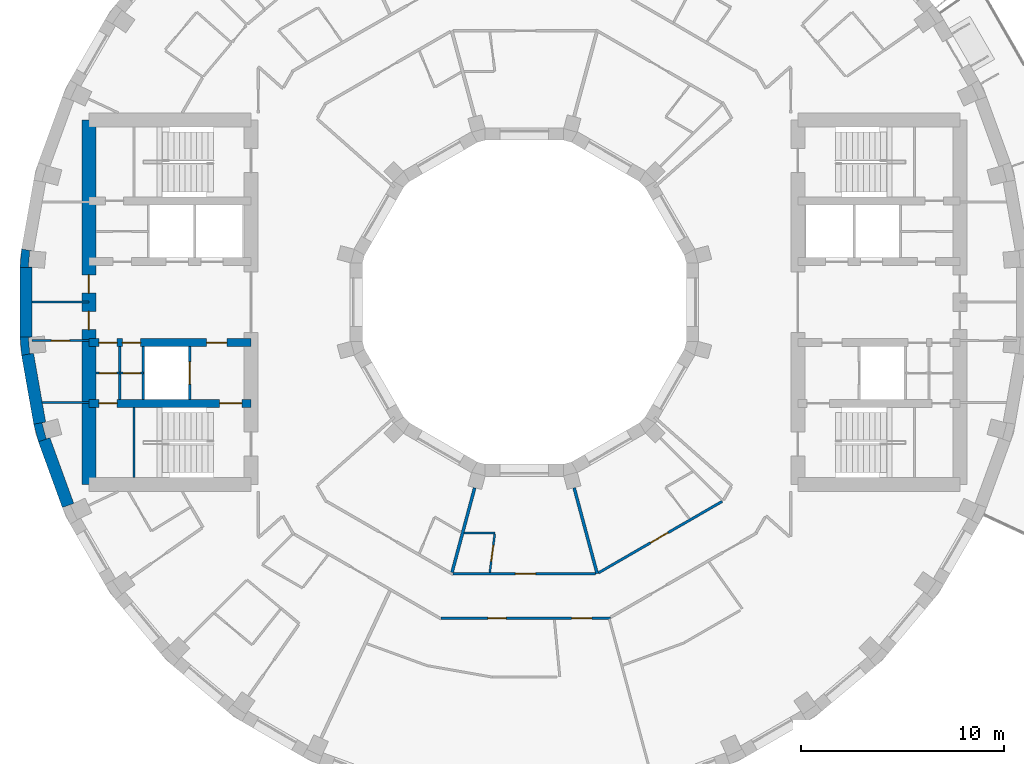
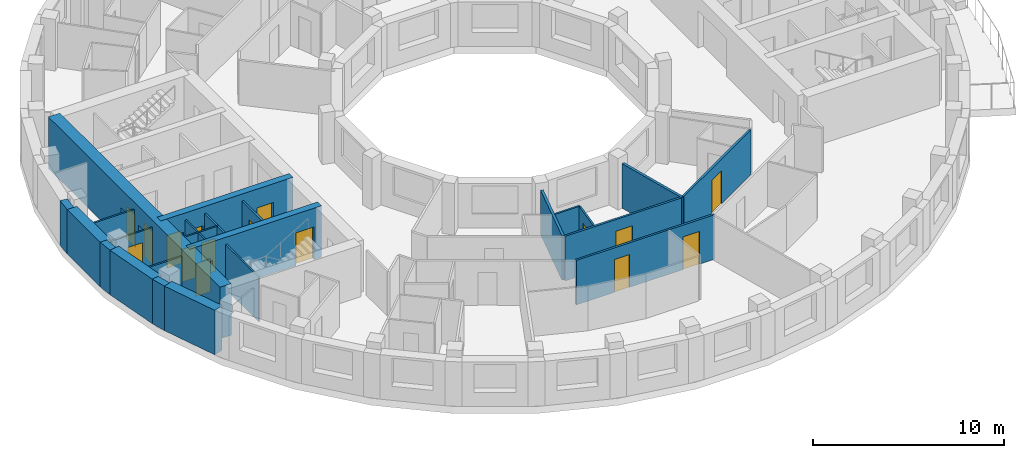
# One storey, part 3 of 11: 25 walls, 16 doors, 16 openings.
"""IFC4 building model written with IfcOpenShell, lengths in metres."""

import ifcopenshell
import ifcopenshell.guid

model = None  # the IFC model being written
_history = None  # IfcOwnerHistory: only IFC2X3 demands one
_inside = {}  # id of a spatial element -> (the spatial element, [elements in it])
_under = {}  # id of a project, library or spatial element -> (it, [spatial elements below it])
_declared = {}  # id of a project -> (the project, [libraries it declares])
_typed = {}  # id of a type object -> (the type object, [elements of that type])
_made_of = {}  # id of a material, layer set ... -> (it, [elements and type objects made of it])


def new_model(schema):
    """Start an empty IFC model of exactly this schema.

    Asked for "IFC4X3", IfcOpenShell would pick the latest addendum, in which some entities
    have other attributes; the version numbers below select the first issue.
    IFC2X3 requires an IfcOwnerHistory on every rooted entity: one is made here for all.
    """
    global model, _history
    if schema == "IFC4X3":
        model = ifcopenshell.file(schema_version=(4, 3, 0, 0))
    else:
        model = ifcopenshell.file(schema=schema)
    _inside.clear()
    _under.clear()
    _declared.clear()
    _typed.clear()
    _made_of.clear()
    _history = None
    if model.schema == "IFC2X3":
        org = make("IfcOrganization", Name="unknown")
        user = make(
            "IfcPersonAndOrganization",
            ThePerson=make("IfcPerson", FamilyName="unknown"),
            TheOrganization=org,
        )
        app = make(
            "IfcApplication",
            ApplicationDeveloper=org,
            Version="unknown",
            ApplicationFullName="unknown",
            ApplicationIdentifier="unknown",
        )
        _history = make(
            "IfcOwnerHistory",
            OwningUser=user,
            OwningApplication=app,
            ChangeAction="ADDED",
            CreationDate=0,
        )
    return model


def make(cls, **values):
    """One entity of the class cls with the attributes given. An attribute that is None is left unset."""
    return model.create_entity(
        cls, **{name: value for name, value in values.items() if value is not None}
    )


def rooted(cls, **values):
    """An entity with a GlobalId (a new one), such as an element, a storey or a relation."""
    return make(cls, GlobalId=ifcopenshell.guid.new(), OwnerHistory=_history, **values)


def si_unit(unit_type, name, prefix=None):
    """IfcSIUnit, for example si_unit("LENGTHUNIT", "METRE", prefix="MILLI")."""
    return make("IfcSIUnit", UnitType=unit_type, Prefix=prefix, Name=name)


def assignment(units):
    """IfcUnitAssignment: the units of a project."""
    return None if units is None else make("IfcUnitAssignment", Units=units)


def point(xyz):
    """IfcCartesianPoint."""
    return None if xyz is None else make("IfcCartesianPoint", Coordinates=xyz)


def direction(xyz):
    """IfcDirection."""
    return None if xyz is None else make("IfcDirection", DirectionRatios=xyz)


def frame(location, z_axis=None, x_axis=None):
    """IfcAxis2Placement3D, a coordinate frame: its origin and axes. An axis left out is left unset."""
    return make(
        "IfcAxis2Placement3D",
        Location=point(location),
        Axis=direction(z_axis),
        RefDirection=direction(x_axis),
    )


def frame_2d(location, x_axis=None):
    """IfcAxis2Placement2D, a coordinate frame in the plane: its origin and x axis."""
    return make(
        "IfcAxis2Placement2D", Location=point(location), RefDirection=direction(x_axis)
    )


def origin():
    """The frame at (0, 0, 0) with its axes left unset."""
    return frame((0.0, 0.0, 0.0))


def place(relative_to, where):
    """IfcLocalPlacement: puts the frame where relative to a parent placement (None: the world)."""
    return make(
        "IfcLocalPlacement", PlacementRelTo=relative_to, RelativePlacement=where
    )


def context(
    kind, dimensions, precision=None, world=None, true_north=None, identifier=None
):
    """IfcGeometricRepresentationContext, for example the 3D "Model" context."""
    return make(
        "IfcGeometricRepresentationContext",
        ContextIdentifier=identifier,
        ContextType=kind,
        CoordinateSpaceDimension=dimensions,
        Precision=precision,
        WorldCoordinateSystem=world,
        TrueNorth=true_north,
    )


def subcontext(parent, identifier, kind, view, scale=None):
    """IfcGeometricRepresentationSubContext, for example "Body" below "Model"."""
    return make(
        "IfcGeometricRepresentationSubContext",
        ContextIdentifier=identifier,
        ContextType=kind,
        ParentContext=parent,
        TargetScale=scale,
        TargetView=view,
    )


def project(units=None, contexts=None):
    """IfcProject with its units and contexts."""
    return rooted(
        "IfcProject",
        Name="project",
        RepresentationContexts=contexts,
        UnitsInContext=assignment(units),
    )


def spatial(cls, under=None, at=None, **own):
    """A site, building, storey or space (cls), placed at a placement, below another one or the project."""
    s = rooted(cls, ObjectPlacement=at, **own)
    if under is not None:
        _under.setdefault(under.id(), (under, []))[1].append(s)
    return s


def polyline(points):
    """IfcPolyline through the points."""
    return make("IfcPolyline", Points=[point(p) for p in points])


def profile(cls, at=None, kind="AREA", **sizes):
    """A parametric profile (cls). Its sizes go by their IFC names, for example OverallWidth=200.0."""
    return make(cls, ProfileType=kind, Position=at, **sizes)


def rectangle(**sizes):
    """IfcRectangleProfileDef."""
    return profile("IfcRectangleProfileDef", **sizes)


def outline(outer, holes=None, kind="AREA"):
    """IfcArbitraryClosedProfileDef: a profile drawn as a closed curve; with holes, ...WithVoids."""
    if holes is None:
        return make("IfcArbitraryClosedProfileDef", ProfileType=kind, OuterCurve=outer)
    return make(
        "IfcArbitraryProfileDefWithVoids",
        ProfileType=kind,
        OuterCurve=outer,
        InnerCurves=holes,
    )


def extrude(swept, where, along, depth):
    """IfcExtrudedAreaSolid: the profile swept, set in the frame where, extruded along a direction by depth."""
    return make(
        "IfcExtrudedAreaSolid",
        SweptArea=swept,
        Position=where,
        ExtrudedDirection=direction(along),
        Depth=depth,
    )


def shape(context_of_items, identifier, shape_type, items):
    """IfcShapeRepresentation: the items that make up one representation, for example the "Body"."""
    return make(
        "IfcShapeRepresentation",
        ContextOfItems=context_of_items,
        RepresentationIdentifier=identifier,
        RepresentationType=shape_type,
        Items=items,
    )


def material(Name=None, Category=None):
    """IfcMaterial."""
    return make("IfcMaterial", Name=Name, Category=Category)


def layer(
    of_material, thickness, ventilated=None, Name=None, Category=None, Priority=None
):
    """IfcMaterialLayer: one layer of a wall or slab, of a material (None: an air gap)."""
    return make(
        "IfcMaterialLayer",
        Material=of_material,
        LayerThickness=thickness,
        IsVentilated=ventilated,
        Name=Name,
        Category=Category,
        Priority=Priority,
    )


def layer_set(layers, Name=None):
    """IfcMaterialLayerSet."""
    return make("IfcMaterialLayerSet", MaterialLayers=layers, LayerSetName=Name)


def made_of(thing, what):
    """Note that an element or type object is made of a material, layer set ...; save() writes the relation."""
    if what is not None:
        _made_of.setdefault(what.id(), (what, []))[1].append(thing)
    return thing


def type_object(cls, material=None, **own):
    """A type object (cls), such as IfcWallType, which elements share."""
    return made_of(rooted(cls, **own), material)


def element(
    cls,
    number,
    at=None,
    inside=None,
    cuts=None,
    type_object=None,
    material=None,
    context=None,
    identifier="Body",
    shape_type=None,
    held_by="IfcProductDefinitionShape",
    body=None,
    shapes=None,
    **own,
):
    """One element of the class cls, such as IfcWall. Its Tag is "e" and its number.

    at: its placement. inside: the storey or other place that contains it. cuts: it is an
    opening in that element (IfcRelVoidsElement). A single representation is given by context,
    identifier, shape_type and body (its items); several are given by shapes. held_by: the class
    of the entity that holds the representations. save() writes the other relations.
    """
    e = rooted(cls, Tag="e%d" % number, ObjectPlacement=at, **own)
    if body is not None:
        shapes = [shape(context, identifier, shape_type, body)]
    if shapes is not None:
        e.Representation = make(held_by, Representations=shapes)
    if inside is not None:
        _inside.setdefault(inside.id(), (inside, []))[1].append(e)
    if cuts is not None:
        rooted(
            "IfcRelVoidsElement", RelatingBuildingElement=cuts, RelatedOpeningElement=e
        )
    if type_object is not None:
        _typed.setdefault(type_object.id(), (type_object, []))[1].append(e)
    return made_of(e, material)


def fill(opening, filler):
    """IfcRelFillsElement: the door or window that sits in an opening."""
    return rooted(
        "IfcRelFillsElement",
        RelatingOpeningElement=opening,
        RelatedBuildingElement=filler,
    )


def aggregate(whole, parts):
    """IfcRelAggregates: a whole, such as a stair, and the parts it consists of."""
    return rooted("IfcRelAggregates", RelatingObject=whole, RelatedObjects=parts)


def save(model, path):
    """Write the relations noted so far, then the file.

    IfcRelAggregates (storeys below a building ...), IfcRelContainedInSpatialStructure (elements
    in a storey), IfcRelDefinesByType, IfcRelAssociatesMaterial and IfcRelDeclares: one each for
    every whole, place, type object, material and project.
    """
    for whole, parts in _under.values():
        aggregate(whole, parts)
    for where, things in _inside.values():
        rooted(
            "IfcRelContainedInSpatialStructure",
            RelatedElements=things,
            RelatingStructure=where,
        )
    for kind, things in _typed.values():
        rooted("IfcRelDefinesByType", RelatedObjects=things, RelatingType=kind)
    for what, things in _made_of.values():
        rooted("IfcRelAssociatesMaterial", RelatedObjects=things, RelatingMaterial=what)
    for by, libraries in _declared.values():
        rooted("IfcRelDeclares", RelatingContext=by, RelatedDefinitions=libraries)
    model.write(path)


model = new_model("IFC4")

# Units and contexts
model_context = context("Model", 3, precision=1e-05, world=origin(), true_north=direction((0.0, 1.0)))
body_context = subcontext(model_context, "Body", "Model", "MODEL_VIEW")
ifc_project = project(units=[si_unit("LENGTHUNIT", "METRE"), si_unit("AREAUNIT", "SQUARE_METRE"), si_unit("VOLUMEUNIT", "CUBIC_METRE"), si_unit("PLANEANGLEUNIT", "RADIAN"), si_unit("MASSUNIT", "GRAM", prefix="KILO")], contexts=[model_context])

# Site, building, storey
site_placement = place(None, origin())
site = spatial("IfcSite", under=ifc_project, at=site_placement, CompositionType="ELEMENT")
building_placement = place(site_placement, origin())
building = spatial("IfcBuilding", under=site, at=building_placement, Name="Saqina Gate Tower", CompositionType="ELEMENT")
storey_placement = place(building_placement, frame((0.0, 0.0, 187.199951171875)))
storey = spatial("IfcBuildingStorey", under=building, at=storey_placement, Name="L53", CompositionType="ELEMENT", Elevation=187.199951171875)

# Walls
ifc_material_1 = material(Name="Brick masonry (buff)", Category="masonry")
wall_type_1 = type_object("IfcWallType", Name="BRICK PIER COPING BUFF", PredefinedType="SOLIDWALL", material=ifc_material_1)
wall_1_placement = place(storey_placement, origin())
element("IfcWall", 1, at=wall_1_placement, inside=storey, type_object=wall_type_1, Name="Pier cap L53 column 18", PredefinedType="SOLIDWALL", context=body_context, shape_type="SweptSolid", body=[
    extrude(outline(polyline([(-24.825927734375, 2.6259765625), (-24.90478515625, 1.724853515625), (-24.304931640625, 1.724853515625), (-24.491455078125, 1.7412109375), (-24.421630859375, 2.5380859375), (-24.235107421875, 2.521728515625), (-24.825927734375, 2.6259765625)])), origin(), (0.0, 0.0, 1.0), 2.85009765625),
])
wall_2_placement = place(storey_placement, origin())
element("IfcWall", 2, at=wall_2_placement, inside=storey, type_object=wall_type_1, Name="Pier cap L53 column 19", PredefinedType="SOLIDWALL", context=body_context, shape_type="SweptSolid", body=[
    extrude(outline(polyline([(-24.90478515625, -1.724853515625), (-24.825927734375, -2.6259765625), (-24.235107421875, -2.521728515625), (-24.421630859375, -2.5380859375), (-24.491455078125, -1.7412109375), (-24.304931640625, -1.724853515625), (-24.90478515625, -1.724853515625)])), origin(), (0.0, 0.0, 1.0), 2.85009765625),
])
wall_3_placement = place(storey_placement, origin())
element("IfcWall", 3, at=wall_3_placement, inside=storey, type_object=wall_type_1, Name="Pier cap L53 column 20", PredefinedType="SOLIDWALL", context=body_context, shape_type="SweptSolid", body=[
    extrude(outline(polyline([(-24.22705078125, -6.0234375), (-23.992919921875, -6.897216796875), (-23.428955078125, -6.69189453125), (-23.610107421875, -6.740478515625), (-23.81689453125, -5.967529296875), (-23.635986328125, -5.919189453125), (-24.22705078125, -6.0234375)])), origin(), (0.0, 0.0, 1.0), 2.85009765625),
])
ifc_material_2 = material(Name="Gypsum board on steel studs", Category="steel")
ifc_layer_1 = layer(ifc_material_2, 0.10009765625)
ifc_layer_set_1 = layer_set([ifc_layer_1], Name="CORE PARTITION")
wall_type_2 = type_object("IfcWallType", Name="CORE PARTITION", PredefinedType="PARTITIONING", material=ifc_layer_set_1)
wall_4_placement = place(storey_placement, frame((-21.5, -4.949951171875, 0.0), z_axis=(0.0, 0.0, 1.0), x_axis=(-1.0, 0.0, 0.0)))
element("IfcWall", 4, at=wall_4_placement, inside=storey, type_object=wall_type_2, Name="L53-CP-W02", PredefinedType="PARTITIONING", context=body_context, shape_type="SweptSolid", body=[
    extrude(rectangle(XDim=2.306884765625, YDim=0.10009765625, at=frame_2d((1.1533203125, 0.0))), origin(), (0.0, 0.0, 1.0), 2.85009765625),
])

# Wall, opening, door
wall_5_placement = place(storey_placement, frame((-21.5, -1.89990234375, 0.0), z_axis=(0.0, 0.0, 1.0), x_axis=(-1.0, 0.0, 0.0)))
wall_5 = element("IfcWall", 5, at=wall_5_placement, inside=storey, type_object=wall_type_2, Name="L53-CP-W03", PredefinedType="PARTITIONING", context=body_context, shape_type="SweptSolid", body=[
    extrude(rectangle(XDim=2.804931640625, YDim=0.10009765625, at=frame_2d((1.40234375, 0.0))), origin(), (0.0, 0.0, 1.0), 2.85009765625),
])
opening_1_placement = place(wall_5_placement, frame((0.952392578125, 0.0, 0.0)))
opening_1 = element("IfcOpeningElement", 6, at=opening_1_placement, cuts=wall_5, Name="Opening G15-D111", PredefinedType="OPENING", context=body_context, shape_type="SweptSolid", body=[
    extrude(rectangle(XDim=0.89990234375, YDim=2.10009765625, at=frame_2d((0.449951171875, 1.050048828125))), frame((0.0, 0.06201171875, 0.0), z_axis=(0.0, -1.0, 0.0), x_axis=(1.0, 0.0, 0.0)), (0.0, 0.0, 1.0), 0.1240234375),
])
ifc_material_3 = material(Name="Steel-framed fire door leaf, EI 60", Category="steel")
door_type_1 = type_object("IfcDoorType", Name="SERVICE ROOM DOOR 900", OperationType="SINGLE_SWING_LEFT", PredefinedType="DOOR", material=ifc_material_3)
door_1_placement = place(opening_1_placement, origin())
door_1 = element("IfcDoor", 7, at=door_1_placement, inside=storey, type_object=door_type_1, Name="L53-CD-W22", OperationType="SINGLE_SWING_LEFT", OverallHeight=2.10009765625, OverallWidth=0.89990234375, PredefinedType="DOOR", context=body_context, shape_type="SweptSolid", body=[
    extrude(rectangle(XDim=0.89990234375, YDim=2.10009765625, at=frame_2d((0.449951171875, 1.050048828125))), frame((0.0, 0.02490234375, 0.0), z_axis=(0.0, -1.0, 0.0), x_axis=(1.0, 0.0, 0.0)), (0.0, 0.0, 1.0), 0.050048828125),
])
fill(opening_1, door_1)

# Walls
wall_6_placement = place(storey_placement, frame((-21.5, 0.0, 0.0), z_axis=(0.0, 0.0, 1.0), x_axis=(-1.0, 0.0, 0.0)))
element("IfcWall", 8, at=wall_6_placement, inside=storey, type_object=wall_type_2, Name="L53-CP-W04", PredefinedType="PARTITIONING", context=body_context, shape_type="SweptSolid", body=[
    extrude(rectangle(XDim=2.804931640625, YDim=0.10009765625, at=frame_2d((1.40234375, 0.0))), origin(), (0.0, 0.0, 1.0), 2.85009765625),
])
wall_7_placement = place(storey_placement, frame((-19.97998046875, -4.800048828125, 0.0), z_axis=(0.0, 0.0, 1.0), x_axis=(0.0, 1.0, 0.0)))
element("IfcWall", 9, at=wall_7_placement, inside=storey, type_object=wall_type_2, Name="L53-CP-W09", PredefinedType="PARTITIONING", context=body_context, shape_type="SweptSolid", body=[
    extrude(rectangle(XDim=2.60009765625, YDim=0.10009765625, at=frame_2d((1.300048828125, 0.0))), origin(), (0.0, 0.0, 1.0), 2.85009765625),
])

# Wall, opening, door
wall_8_placement = place(storey_placement, frame((-18.81005859375, -3.5, 0.0), z_axis=(0.0, 0.0, 1.0), x_axis=(-1.0, 0.0, 0.0)))
wall_8 = element("IfcWall", 10, at=wall_8_placement, inside=storey, type_object=wall_type_2, Name="L53-CP-W11", PredefinedType="PARTITIONING", context=body_context, shape_type="SweptSolid", body=[
    extrude(rectangle(XDim=1.169921875, YDim=0.10009765625, at=frame_2d((0.5849609375, 0.0))), origin(), (0.0, 0.0, 1.0), 2.85009765625),
])
opening_2_placement = place(wall_8_placement, frame((0.14990234375, 0.0, 0.0)))
opening_2 = element("IfcOpeningElement", 11, at=opening_2_placement, cuts=wall_8, Name="Opening G15-D115", PredefinedType="OPENING", context=body_context, shape_type="SweptSolid", body=[
    extrude(rectangle(XDim=0.85009765625, YDim=2.10009765625, at=frame_2d((0.425048828125, 1.050048828125))), frame((0.0, 0.06201171875, 0.0), z_axis=(0.0, -1.0, 0.0), x_axis=(1.0, 0.0, 0.0)), (0.0, 0.0, 1.0), 0.1240234375),
])
ifc_material_4 = material(Name="Steel-framed fire door leaf, EI 60", Category="steel")
door_type_2 = type_object("IfcDoorType", Name="SERVICE ROOM DOOR 850", OperationType="SINGLE_SWING_LEFT", PredefinedType="DOOR", material=ifc_material_4)
door_2_placement = place(opening_2_placement, origin())
door_2 = element("IfcDoor", 12, at=door_2_placement, inside=storey, type_object=door_type_2, Name="L53-CD-W26", OperationType="SINGLE_SWING_LEFT", OverallHeight=2.10009765625, OverallWidth=0.85009765625, PredefinedType="DOOR", context=body_context, shape_type="SweptSolid", body=[
    extrude(rectangle(XDim=0.85009765625, YDim=2.10009765625, at=frame_2d((0.425048828125, 1.050048828125))), frame((0.0, 0.02490234375, 0.0), z_axis=(0.0, -1.0, 0.0), x_axis=(1.0, 0.0, 0.0)), (0.0, 0.0, 1.0), 0.050048828125),
])
fill(opening_2, door_2)

wall_9_placement = place(storey_placement, frame((-19.97998046875, -3.5, 0.0), z_axis=(0.0, 0.0, 1.0), x_axis=(-1.0, 0.0, 0.0)))
wall_9 = element("IfcWall", 13, at=wall_9_placement, inside=storey, type_object=wall_type_2, Name="L53-CP-W12", PredefinedType="PARTITIONING", context=body_context, shape_type="SweptSolid", body=[
    extrude(rectangle(XDim=1.169921875, YDim=0.10009765625, at=frame_2d((0.5849609375, 0.0))), origin(), (0.0, 0.0, 1.0), 2.85009765625),
])
opening_3_placement = place(wall_9_placement, frame((0.14990234375, 0.0, 0.0)))
opening_3 = element("IfcOpeningElement", 14, at=opening_3_placement, cuts=wall_9, Name="Opening G15-D116", PredefinedType="OPENING", context=body_context, shape_type="SweptSolid", body=[
    extrude(rectangle(XDim=0.85009765625, YDim=2.10009765625, at=frame_2d((0.425048828125, 1.050048828125))), frame((0.0, 0.06201171875, 0.0), z_axis=(0.0, -1.0, 0.0), x_axis=(1.0, 0.0, 0.0)), (0.0, 0.0, 1.0), 0.1240234375),
])
door_3_placement = place(opening_3_placement, origin())
door_3 = element("IfcDoor", 15, at=door_3_placement, inside=storey, type_object=door_type_2, Name="L53-CD-W27", OperationType="SINGLE_SWING_RIGHT", OverallHeight=2.10009765625, OverallWidth=0.85009765625, PredefinedType="DOOR", context=body_context, shape_type="SweptSolid", body=[
    extrude(rectangle(XDim=0.85009765625, YDim=2.10009765625, at=frame_2d((0.425048828125, 1.050048828125))), frame((0.0, 0.02490234375, 0.0), z_axis=(0.0, -1.0, 0.0), x_axis=(1.0, 0.0, 0.0)), (0.0, 0.0, 1.0), 0.050048828125),
])
fill(opening_3, door_3)

# Walls
ifc_material_5 = material(Name="Glazed ceramic tile", Category="ceramic")
ifc_layer_2 = layer(ifc_material_5, 0.60009765625)
ifc_layer_set_2 = layer_set([ifc_layer_2], Name="FW-TILE")
wall_type_3 = type_object("IfcWallType", Name="FW-TILE", PredefinedType="SOLIDWALL", material=ifc_layer_set_2)
for number, where, z_axis, x_axis, name in (
    (16, (-24.60498046875, 1.724853515625, 0.0), (0.0, 0.0, 1.0), (0.0, -1.0, 0.0), "Facade wall L53 facet 18"),
    (17, (-23.7109375, -6.79443359375, 0.0), (0.0, 0.0, 1.0), (0.342032843455, -0.93968799822, 0.0), "Facade wall L53 facet 20"),
):
    element("IfcWall", number, at=place(storey_placement, frame(where, z_axis=z_axis, x_axis=x_axis)), inside=storey, type_object=wall_type_3, Name=name, PredefinedType="SOLIDWALL", context=body_context, shape_type="SweptSolid", body=[
        extrude(rectangle(XDim=3.44970703125, YDim=0.60009765625, at=frame_2d((1.724853515625, 0.0))), origin(), (0.0, 0.0, 1.0), 2.85009765625),
    ])
ifc_material_6 = material(Name="Glazed ceramic tile (white)", Category="ceramic")
ifc_layer_3 = layer(ifc_material_6, 0.60009765625)
ifc_layer_set_3 = layer_set([ifc_layer_3], Name="FW-TILE-WH")
wall_type_4 = type_object("IfcWallType", Name="FW-TILE-WH", PredefinedType="SOLIDWALL", material=ifc_layer_set_3)
wall_10_placement = place(storey_placement, frame((-24.530517578125, -2.573974609375, 0.0), z_axis=(0.0, 0.0, 1.0), x_axis=(0.173607684551, -0.984814892183, 0.0)))
element("IfcWall", 18, at=wall_10_placement, inside=storey, type_object=wall_type_4, Name="Facade wall L53 facet 19", PredefinedType="SOLIDWALL", context=body_context, shape_type="SweptSolid", body=[
    extrude(rectangle(XDim=3.44970703125, YDim=0.60009765625, at=frame_2d((1.724853515625, 0.0))), origin(), (0.0, 0.0, 1.0), 2.85009765625),
])
ifc_material_7 = material(Name="Gypsum board on steel studs, 100 mm", Category="steel")
ifc_layer_4 = layer(ifc_material_7, 0.10009765625)
ifc_layer_set_4 = layer_set([ifc_layer_4], Name="PARTITION 100")
wall_type_5 = type_object("IfcWallType", Name="PARTITION 100", PredefinedType="PARTITIONING", material=ifc_layer_set_4)
wall_11_placement = place(storey_placement, frame((-2.97998046875, -11.39990234375, 0.0), z_axis=(0.0, 0.0, 1.0), x_axis=(1.0, 0.0, 0.0)))
element("IfcWall", 19, at=wall_11_placement, inside=storey, type_object=wall_type_5, Name="PARTITION PW3-32", PredefinedType="PARTITIONING", context=body_context, shape_type="SweptSolid", body=[
    extrude(rectangle(XDim=1.51904296875, YDim=0.10009765625, at=frame_2d((0.759521484375, 0.0))), origin(), (0.0, 0.0, 1.0), 2.85009765625),
])

# Wall, opening, door
wall_12_placement = place(storey_placement, frame((-1.708984375, -13.337890625, 0.0), z_axis=(0.0, 0.0, 1.0), x_axis=(0.126970192357, 0.991906533023, 0.0)))
wall_12 = element("IfcWall", 20, at=wall_12_placement, inside=storey, type_object=wall_type_5, Name="PARTITION PW3-61", PredefinedType="PARTITIONING", context=body_context, shape_type="SweptSolid", body=[
    extrude(rectangle(XDim=1.903564453125, YDim=0.10009765625, at=frame_2d((0.95166015625, 0.0))), origin(), (0.0, 0.0, 1.0), 2.85009765625),
])
opening_4_placement = place(wall_12_placement, frame((0.545654296875, 0.0, 0.0)))
opening_4 = element("IfcOpeningElement", 21, at=opening_4_placement, cuts=wall_12, Name="Opening G15-D30", PredefinedType="OPENING", context=body_context, shape_type="SweptSolid", body=[
    extrude(rectangle(XDim=0.800048828125, YDim=2.10009765625, at=frame_2d((0.39990234375, 1.050048828125))), frame((0.0, 0.06201171875, 0.0), z_axis=(0.0, -1.0, 0.0), x_axis=(1.0, 0.0, 0.0)), (0.0, 0.0, 1.0), 0.1240234375),
])
ifc_material_8 = material(Name="Timber door leaf, 800 mm", Category="wood")
door_type_3 = type_object("IfcDoorType", Name="DOOR 800 TIMBER", OperationType="SINGLE_SWING_LEFT", PredefinedType="DOOR", material=ifc_material_8)
door_4_placement = place(opening_4_placement, frame((0.800048828125, 0.0, 0.0), z_axis=(0.0, 0.0, 1.0), x_axis=(-1.0, 0.0, 0.0)))
door_4 = element("IfcDoor", 22, at=door_4_placement, inside=storey, type_object=door_type_3, Name="DOOR G15-D30", OperationType="SINGLE_SWING_RIGHT", OverallHeight=2.10009765625, OverallWidth=0.800048828125, PredefinedType="DOOR", context=body_context, shape_type="SweptSolid", body=[
    extrude(rectangle(XDim=0.800048828125, YDim=2.10009765625, at=frame_2d((0.39990234375, 1.050048828125))), frame((0.0, 0.02490234375, 0.0), z_axis=(0.0, -1.0, 0.0), x_axis=(1.0, 0.0, 0.0)), (0.0, 0.0, 1.0), 0.050048828125),
])
fill(opening_4, door_4)

# Wall, openings, doors
ifc_material_9 = material(Name="Gypsum board on steel studs, 125 mm, fire rated", Category="steel")
ifc_layer_5 = layer(ifc_material_9, 0.125)
ifc_layer_set_5 = layer_set([ifc_layer_5], Name="PARTITION EI 30 125")
wall_type_6 = type_object("IfcWallType", Name="PARTITION EI 30 125", PredefinedType="PARTITIONING", material=ifc_layer_set_5)
wall_13_placement = place(storey_placement, frame((-4.117431640625, -15.60009765625, 0.0), z_axis=(0.0, 0.0, 1.0), x_axis=(1.0, 0.0, 0.0)))
wall_13 = element("IfcWall", 23, at=wall_13_placement, inside=storey, type_object=wall_type_6, Name="PARTITION PW1-19", PredefinedType="PARTITIONING", context=body_context, shape_type="SweptSolid", body=[
    extrude(rectangle(XDim=8.36962890625, YDim=0.125, at=frame_2d((4.184814453125, 0.0))), origin(), (0.0, 0.0, 1.0), 2.85009765625),
])
opening_5_placement = place(wall_13_placement, frame((2.3134765625, 0.0, 0.0)))
opening_5 = element("IfcOpeningElement", 24, at=opening_5_placement, cuts=wall_13, Name="Opening G15-D31", PredefinedType="OPENING", context=body_context, shape_type="SweptSolid", body=[
    extrude(rectangle(XDim=0.89990234375, YDim=2.10009765625, at=frame_2d((0.449951171875, 1.050048828125))), frame((0.0, 0.074462890625, 0.0), z_axis=(0.0, -1.0, 0.0), x_axis=(1.0, 0.0, 0.0)), (0.0, 0.0, 1.0), 0.14892578125),
])
opening_6_placement = place(wall_13_placement, frame((6.443603515625, 0.0, 0.0)))
opening_6 = element("IfcOpeningElement", 25, at=opening_6_placement, cuts=wall_13, Name="Opening G15-D33", PredefinedType="OPENING", context=body_context, shape_type="SweptSolid", body=[
    extrude(rectangle(XDim=1.0, YDim=2.10009765625, at=frame_2d((0.5, 1.050048828125))), frame((0.0, 0.074462890625, 0.0), z_axis=(0.0, -1.0, 0.0), x_axis=(1.0, 0.0, 0.0)), (0.0, 0.0, 1.0), 0.14892578125),
])
ifc_material_10 = material(Name="Fire door leaf EI 30, 1000 mm")
door_type_4 = type_object("IfcDoorType", Name="DOOR 1000 EI 30", OperationType="SINGLE_SWING_LEFT", PredefinedType="DOOR", material=ifc_material_10)
door_5_placement = place(opening_6_placement, origin())
door_5 = element("IfcDoor", 26, at=door_5_placement, inside=storey, type_object=door_type_4, Name="DOOR G15-D33", OperationType="SINGLE_SWING_RIGHT", OverallHeight=2.10009765625, OverallWidth=1.0, PredefinedType="DOOR", context=body_context, shape_type="SweptSolid", body=[
    extrude(rectangle(XDim=1.0, YDim=2.10009765625, at=frame_2d((0.5, 1.050048828125))), frame((0.0, 0.02490234375, 0.0), z_axis=(0.0, -1.0, 0.0), x_axis=(1.0, 0.0, 0.0)), (0.0, 0.0, 1.0), 0.050048828125),
])
fill(opening_6, door_5)
ifc_material_11 = material(Name="Fire door leaf EI 30, 900 mm")
door_type_5 = type_object("IfcDoorType", Name="DOOR 900 EI 30", OperationType="SINGLE_SWING_LEFT", PredefinedType="DOOR", material=ifc_material_11)
door_6_placement = place(opening_5_placement, frame((0.89990234375, 0.0, 0.0), z_axis=(0.0, 0.0, 1.0), x_axis=(-1.0, 0.0, 0.0)))
door_6 = element("IfcDoor", 27, at=door_6_placement, inside=storey, type_object=door_type_5, Name="DOOR G15-D31", OperationType="SINGLE_SWING_RIGHT", OverallHeight=2.10009765625, OverallWidth=0.89990234375, PredefinedType="DOOR", context=body_context, shape_type="SweptSolid", body=[
    extrude(rectangle(XDim=0.89990234375, YDim=2.10009765625, at=frame_2d((0.449951171875, 1.050048828125))), frame((0.0, 0.02490234375, 0.0), z_axis=(0.0, -1.0, 0.0), x_axis=(1.0, 0.0, 0.0)), (0.0, 0.0, 1.0), 0.050048828125),
])
fill(opening_5, door_6)

# Wall, opening, door
wall_14_placement = place(storey_placement, frame((-3.528564453125, -13.39990234375, 0.0), z_axis=(0.0, 0.0, 1.0), x_axis=(1.0, 0.0, 0.0)))
wall_14 = element("IfcWall", 28, at=wall_14_placement, inside=storey, type_object=wall_type_6, Name="PARTITION PW1-20", PredefinedType="PARTITIONING", context=body_context, shape_type="SweptSolid", body=[
    extrude(rectangle(XDim=7.044677734375, YDim=0.125, at=frame_2d((3.5224609375, 0.0))), origin(), (0.0, 0.0, 1.0), 2.85009765625),
])
opening_7_placement = place(wall_14_placement, frame((3.07958984375, 0.0, 0.0)))
opening_7 = element("IfcOpeningElement", 29, at=opening_7_placement, cuts=wall_14, Name="Opening G15-D32", PredefinedType="OPENING", context=body_context, shape_type="SweptSolid", body=[
    extrude(rectangle(XDim=1.0, YDim=2.10009765625, at=frame_2d((0.5, 1.050048828125))), frame((0.0, 0.074462890625, 0.0), z_axis=(0.0, -1.0, 0.0), x_axis=(1.0, 0.0, 0.0)), (0.0, 0.0, 1.0), 0.14892578125),
])
door_7_placement = place(opening_7_placement, origin())
door_7 = element("IfcDoor", 30, at=door_7_placement, inside=storey, type_object=door_type_4, Name="DOOR G15-D32", OperationType="SINGLE_SWING_RIGHT", OverallHeight=2.10009765625, OverallWidth=1.0, PredefinedType="DOOR", context=body_context, shape_type="SweptSolid", body=[
    extrude(rectangle(XDim=1.0, YDim=2.10009765625, at=frame_2d((0.5, 1.050048828125))), frame((0.0, 0.02490234375, 0.0), z_axis=(0.0, -1.0, 0.0), x_axis=(1.0, 0.0, 0.0)), (0.0, 0.0, 1.0), 0.050048828125),
])
fill(opening_7, door_7)

wall_15_placement = place(storey_placement, frame((3.656005859375, -13.362548828125, 0.0), z_axis=(0.0, 0.0, 1.0), x_axis=(0.865953330155, 0.500124814415, 0.0)))
wall_15 = element("IfcWall", 31, at=wall_15_placement, inside=storey, type_object=wall_type_6, Name="PARTITION PW1-25", PredefinedType="PARTITIONING", context=body_context, shape_type="SweptSolid", body=[
    extrude(rectangle(XDim=7.055419921875, YDim=0.125, at=frame_2d((3.52783203125, 0.0))), origin(), (0.0, 0.0, 1.0), 2.85009765625),
])
opening_8_placement = place(wall_15_placement, frame((2.96435546875, 0.0, 0.0)))
opening_8 = element("IfcOpeningElement", 32, at=opening_8_placement, cuts=wall_15, Name="Opening G15-D35", PredefinedType="OPENING", context=body_context, shape_type="SweptSolid", body=[
    extrude(rectangle(XDim=1.0, YDim=2.10009765625, at=frame_2d((0.5, 1.050048828125))), frame((0.0, 0.074462890625, 0.0), z_axis=(0.0, -1.0, 0.0), x_axis=(1.0, 0.0, 0.0)), (0.0, 0.0, 1.0), 0.14892578125),
])
door_8_placement = place(opening_8_placement, origin())
door_8 = element("IfcDoor", 33, at=door_8_placement, inside=storey, type_object=door_type_4, Name="DOOR G15-D35", OperationType="SINGLE_SWING_LEFT", OverallHeight=2.10009765625, OverallWidth=1.0, PredefinedType="DOOR", context=body_context, shape_type="SweptSolid", body=[
    extrude(rectangle(XDim=1.0, YDim=2.10009765625, at=frame_2d((0.5, 1.050048828125))), frame((0.0, 0.02490234375, 0.0), z_axis=(0.0, -1.0, 0.0), x_axis=(1.0, 0.0, 0.0)), (0.0, 0.0, 1.0), 0.050048828125),
])
fill(opening_8, door_8)

# Walls
ifc_material_12 = material(Name="Gypsum board on steel studs, 150 mm, fire rated", Category="steel")
ifc_layer_6 = layer(ifc_material_12, 0.14990234375)
ifc_layer_set_6 = layer_set([ifc_layer_6], Name="PARTITION EI 60 150")
wall_type_7 = type_object("IfcWallType", Name="PARTITION EI 60 150", PredefinedType="PARTITIONING", material=ifc_layer_set_6)
wall_16_placement = place(storey_placement, frame((2.455322265625, -9.169189453125, 0.0), z_axis=(0.0, 0.0, 1.0), x_axis=(0.259271855644, -0.9658043823, 0.0)))
element("IfcWall", 34, at=wall_16_placement, inside=storey, type_object=wall_type_7, Name="PARTITION PW2-01", PredefinedType="PARTITIONING", context=body_context, shape_type="SweptSolid", body=[
    extrude(rectangle(XDim=4.380615234375, YDim=0.14990234375, at=frame_2d((2.1904296875, 0.0))), origin(), (0.0, 0.0, 1.0), 2.85009765625),
])
wall_17_placement = place(storey_placement, frame((-3.574462890625, -13.33984375, 0.0), z_axis=(0.0, 0.0, 1.0), x_axis=(0.258651305752, 0.965970756303, 0.0)))
element("IfcWall", 35, at=wall_17_placement, inside=storey, type_object=wall_type_7, Name="PARTITION PW2-06", PredefinedType="PARTITIONING", context=body_context, shape_type="SweptSolid", body=[
    extrude(rectangle(XDim=4.318359375, YDim=0.14990234375, at=frame_2d((2.1591796875, 0.0))), origin(), (0.0, 0.0, 1.0), 2.85009765625),
])

# Wall, opening, door
ifc_material_13 = material(Name="Autoclaved aerated concrete block", Category="concrete")
ifc_layer_7 = layer(ifc_material_13, 0.1201171875)
ifc_layer_set_7 = layer_set([ifc_layer_7], Name="SHAFT PARTITION")
wall_type_8 = type_object("IfcWallType", Name="SHAFT PARTITION", PredefinedType="PARTITIONING", material=ifc_layer_set_7)
wall_18_placement = place(storey_placement, frame((-16.530029296875, -4.800048828125, 0.0), z_axis=(0.0, 0.0, 1.0), x_axis=(0.0, 1.0, 0.0)))
wall_18 = element("IfcWall", 36, at=wall_18_placement, inside=storey, type_object=wall_type_8, Name="L53-CP-W07", PredefinedType="PARTITIONING", context=body_context, shape_type="SweptSolid", body=[
    extrude(rectangle(XDim=2.60009765625, YDim=0.1201171875, at=frame_2d((1.300048828125, 0.0))), origin(), (0.0, 0.0, 1.0), 2.85009765625),
])
opening_9_placement = place(wall_18_placement, frame((0.75, 0.0, 0.0)))
opening_9 = element("IfcOpeningElement", 37, at=opening_9_placement, cuts=wall_18, Name="Opening G15-LD6", PredefinedType="OPENING", context=body_context, shape_type="SweptSolid", body=[
    extrude(rectangle(XDim=1.10009765625, YDim=2.10009765625, at=frame_2d((0.550048828125, 1.050048828125))), frame((0.0, 0.072021484375, 0.0), z_axis=(0.0, -1.0, 0.0), x_axis=(1.0, 0.0, 0.0)), (0.0, 0.0, 1.0), 0.14404296875),
])
ifc_material_14 = material(Name="Stainless steel", Category="steel")
door_type_6 = type_object("IfcDoorType", Name="LANDING DOOR", OperationType="DOUBLE_DOOR_SLIDING", PredefinedType="DOOR", material=ifc_material_14)
door_9_placement = place(opening_9_placement, origin())
door_9 = element("IfcDoor", 38, at=door_9_placement, inside=storey, type_object=door_type_6, Name="LANDING DOOR FF2", OperationType="DOUBLE_DOOR_SLIDING", OverallHeight=2.10009765625, OverallWidth=1.10009765625, PredefinedType="DOOR", context=body_context, shape_type="SweptSolid", body=[
    extrude(rectangle(XDim=1.10009765625, YDim=2.10009765625, at=frame_2d((0.550048828125, 1.050048828125))), frame((0.0, 0.02490234375, 0.0), z_axis=(0.0, -1.0, 0.0), x_axis=(1.0, 0.0, 0.0)), (0.0, 0.0, 1.0), 0.050048828125),
])
fill(opening_9, door_9)

# Walls
wall_19_placement = place(storey_placement, frame((-18.81005859375, -4.800048828125, 0.0), z_axis=(0.0, 0.0, 1.0), x_axis=(0.0, 1.0, 0.0)))
element("IfcWall", 39, at=wall_19_placement, inside=storey, type_object=wall_type_8, Name="L53-CP-W08", PredefinedType="PARTITIONING", context=body_context, shape_type="SweptSolid", body=[
    extrude(rectangle(XDim=2.60009765625, YDim=0.1201171875, at=frame_2d((1.300048828125, 0.0))), origin(), (0.0, 0.0, 1.0), 2.85009765625),
])
ifc_material_15 = material(Name="Autoclaved aerated concrete block", Category="concrete")
ifc_layer_8 = layer(ifc_material_15, 0.10009765625)
ifc_layer_set_8 = layer_set([ifc_layer_8], Name="STAIR ENCLOSURE WALL")
wall_type_9 = type_object("IfcWallType", Name="STAIR ENCLOSURE WALL", PredefinedType="PARTITIONING", material=ifc_layer_set_8)
wall_20_placement = place(storey_placement, frame((-19.27001953125, -8.64990234375, 0.0), z_axis=(0.0, 0.0, 1.0), x_axis=(0.0, 1.0, 0.0)))
element("IfcWall", 40, at=wall_20_placement, inside=storey, type_object=wall_type_9, Name="L53-CP-W14", PredefinedType="PARTITIONING", context=body_context, shape_type="SweptSolid", body=[
    extrude(rectangle(XDim=3.449951171875, YDim=0.10009765625, at=frame_2d((1.72509765625, 0.0))), origin(), (0.0, 0.0, 1.0), 2.85009765625),
])

# Wall, openings, doors
ifc_material_16 = material(Name="Concrete C60/75", Category="concrete")
ifc_layer_9 = layer(ifc_material_16, 0.39990234375)
ifc_layer_set_9 = layer_set([ifc_layer_9], Name="Concrete C60/75")
wall_type_10 = type_object("IfcWallType", Name="STR-CORE WALL-C-I", PredefinedType="SHEAR", material=ifc_layer_set_9)
wall_21_placement = place(storey_placement, frame((-13.5, -5.0, 0.0), z_axis=(0.0, 0.0, 1.0), x_axis=(-1.0, 0.0, 0.0)))
wall_21 = element("IfcWall", 41, at=wall_21_placement, inside=storey, type_object=wall_type_10, Name="CORE WALL L53 W-X2", PredefinedType="SHEAR", context=body_context, shape_type="SweptSolid", body=[
    extrude(rectangle(XDim=8.0, YDim=0.39990234375, at=frame_2d((4.0, 0.0))), origin(), (0.0, 0.0, 1.0), 3.300048828125),
])
opening_10_placement = place(wall_21_placement, frame((6.614990234375, 0.0, 0.0)))
opening_10 = element("IfcOpeningElement", 42, at=opening_10_placement, cuts=wall_21, Name="Opening G15-D117", PredefinedType="OPENING", context=body_context, shape_type="SweptSolid", body=[
    extrude(rectangle(XDim=0.89990234375, YDim=2.10009765625, at=frame_2d((0.449951171875, 1.050048828125))), frame((0.0, 0.2119140625, 0.0), z_axis=(0.0, -1.0, 0.0), x_axis=(1.0, 0.0, 0.0)), (0.0, 0.0, 1.0), 0.423828125),
])
opening_11_placement = place(wall_21_placement, frame((0.449951171875, 0.0, 0.0)))
opening_11 = element("IfcOpeningElement", 43, at=opening_11_placement, cuts=wall_21, Name="Opening G15-D118", PredefinedType="OPENING", context=body_context, shape_type="SweptSolid", body=[
    extrude(rectangle(XDim=1.10009765625, YDim=2.10009765625, at=frame_2d((0.550048828125, 1.050048828125))), frame((0.0, 0.2119140625, 0.0), z_axis=(0.0, -1.0, 0.0), x_axis=(1.0, 0.0, 0.0)), (0.0, 0.0, 1.0), 0.423828125),
])
ifc_material_17 = material(Name="Steel", Category="steel")
door_type_7 = type_object("IfcDoorType", Name="FIRE LOBBY DOOR EI 60 WIDE", OperationType="SINGLE_SWING_LEFT", PredefinedType="DOOR", material=ifc_material_17)
door_10_placement = place(opening_11_placement, origin())
door_10 = element("IfcDoor", 44, at=door_10_placement, inside=storey, type_object=door_type_7, Name="L53-CD-W29", OperationType="SINGLE_SWING_LEFT", OverallHeight=2.10009765625, OverallWidth=1.10009765625, PredefinedType="DOOR", context=body_context, shape_type="SweptSolid", body=[
    extrude(rectangle(XDim=1.10009765625, YDim=2.10009765625, at=frame_2d((0.550048828125, 1.050048828125))), frame((0.0, 0.02490234375, 0.0), z_axis=(0.0, -1.0, 0.0), x_axis=(1.0, 0.0, 0.0)), (0.0, 0.0, 1.0), 0.050048828125),
])
fill(opening_11, door_10)
door_11_placement = place(opening_10_placement, origin())
door_11 = element("IfcDoor", 45, at=door_11_placement, inside=storey, type_object=door_type_1, Name="L53-CD-W28", OperationType="SINGLE_SWING_RIGHT", OverallHeight=2.10009765625, OverallWidth=0.89990234375, PredefinedType="DOOR", context=body_context, shape_type="SweptSolid", body=[
    extrude(rectangle(XDim=0.89990234375, YDim=2.10009765625, at=frame_2d((0.449951171875, 1.050048828125))), frame((0.0, 0.02490234375, 0.0), z_axis=(0.0, -1.0, 0.0), x_axis=(1.0, 0.0, 0.0)), (0.0, 0.0, 1.0), 0.050048828125),
])
fill(opening_10, door_11)

wall_22_placement = place(storey_placement, frame((-13.5, -2.0, 0.0), z_axis=(0.0, 0.0, 1.0), x_axis=(-1.0, 0.0, 0.0)))
wall_22 = element("IfcWall", 46, at=wall_22_placement, inside=storey, type_object=wall_type_10, Name="CORE WALL L53 W-L2", PredefinedType="SHEAR", context=body_context, shape_type="SweptSolid", body=[
    extrude(rectangle(XDim=8.0, YDim=0.39990234375, at=frame_2d((4.0, 0.0))), origin(), (0.0, 0.0, 1.0), 3.300048828125),
])
opening_12_placement = place(wall_22_placement, frame((1.18994140625, 0.0, 0.0)))
opening_12 = element("IfcOpeningElement", 47, at=opening_12_placement, cuts=wall_22, Name="Opening G15-D107", PredefinedType="OPENING", context=body_context, shape_type="SweptSolid", body=[
    extrude(rectangle(XDim=1.0, YDim=2.10009765625, at=frame_2d((0.5, 1.050048828125))), frame((0.0, 0.2119140625, 0.0), z_axis=(0.0, -1.0, 0.0), x_axis=(1.0, 0.0, 0.0)), (0.0, 0.0, 1.0), 0.423828125),
])
opening_13_placement = place(wall_22_placement, frame((5.445068359375, 0.0, 0.0)))
opening_13 = element("IfcOpeningElement", 48, at=opening_13_placement, cuts=wall_22, Name="Opening G15-D108", PredefinedType="OPENING", context=body_context, shape_type="SweptSolid", body=[
    extrude(rectangle(XDim=0.89990234375, YDim=2.10009765625, at=frame_2d((0.449951171875, 1.050048828125))), frame((0.0, 0.2119140625, 0.0), z_axis=(0.0, -1.0, 0.0), x_axis=(1.0, 0.0, 0.0)), (0.0, 0.0, 1.0), 0.423828125),
])
opening_14_placement = place(wall_22_placement, frame((6.614990234375, 0.0, 0.0)))
opening_14 = element("IfcOpeningElement", 49, at=opening_14_placement, cuts=wall_22, Name="Opening G15-D109", PredefinedType="OPENING", context=body_context, shape_type="SweptSolid", body=[
    extrude(rectangle(XDim=0.89990234375, YDim=2.10009765625, at=frame_2d((0.449951171875, 1.050048828125))), frame((0.0, 0.2119140625, 0.0), z_axis=(0.0, -1.0, 0.0), x_axis=(1.0, 0.0, 0.0)), (0.0, 0.0, 1.0), 0.423828125),
])
ifc_material_18 = material(Name="Steel", Category="steel")
door_type_8 = type_object("IfcDoorType", Name="FIRE LOBBY DOOR EI 60", OperationType="SINGLE_SWING_LEFT", PredefinedType="DOOR", material=ifc_material_18)
door_12_placement = place(opening_12_placement, frame((1.0, 0.0, 0.0), z_axis=(0.0, 0.0, 1.0), x_axis=(-1.0, 0.0, 0.0)))
door_12 = element("IfcDoor", 50, at=door_12_placement, inside=storey, type_object=door_type_8, Name="L53-CD-W18", OperationType="SINGLE_SWING_RIGHT", OverallHeight=2.10009765625, OverallWidth=1.0, PredefinedType="DOOR", context=body_context, shape_type="SweptSolid", body=[
    extrude(rectangle(XDim=1.0, YDim=2.10009765625, at=frame_2d((0.5, 1.050048828125))), frame((0.0, 0.02490234375, 0.0), z_axis=(0.0, -1.0, 0.0), x_axis=(1.0, 0.0, 0.0)), (0.0, 0.0, 1.0), 0.050048828125),
])
fill(opening_12, door_12)
door_13_placement = place(opening_13_placement, origin())
door_13 = element("IfcDoor", 51, at=door_13_placement, inside=storey, type_object=door_type_1, Name="L53-CD-W19", OperationType="SINGLE_SWING_LEFT", OverallHeight=2.10009765625, OverallWidth=0.89990234375, PredefinedType="DOOR", context=body_context, shape_type="SweptSolid", body=[
    extrude(rectangle(XDim=0.89990234375, YDim=2.10009765625, at=frame_2d((0.449951171875, 1.050048828125))), frame((0.0, 0.02490234375, 0.0), z_axis=(0.0, -1.0, 0.0), x_axis=(1.0, 0.0, 0.0)), (0.0, 0.0, 1.0), 0.050048828125),
])
fill(opening_13, door_13)
door_14_placement = place(opening_14_placement, origin())
door_14 = element("IfcDoor", 52, at=door_14_placement, inside=storey, type_object=door_type_1, Name="L53-CD-W20", OperationType="SINGLE_SWING_RIGHT", OverallHeight=2.10009765625, OverallWidth=0.89990234375, PredefinedType="DOOR", context=body_context, shape_type="SweptSolid", body=[
    extrude(rectangle(XDim=0.89990234375, YDim=2.10009765625, at=frame_2d((0.449951171875, 1.050048828125))), frame((0.0, 0.02490234375, 0.0), z_axis=(0.0, -1.0, 0.0), x_axis=(1.0, 0.0, 0.0)), (0.0, 0.0, 1.0), 0.050048828125),
])
fill(opening_14, door_14)

ifc_material_19 = material(Name="Concrete C60/75", Category="concrete")
ifc_layer_10 = layer(ifc_material_19, 0.699951171875)
ifc_layer_set_10 = layer_set([ifc_layer_10], Name="Concrete C60/75")
wall_type_11 = type_object("IfcWallType", Name="STR-CORE WALL-C-O", PredefinedType="SHEAR", material=ifc_layer_set_10)
wall_23_placement = place(storey_placement, frame((-21.5, -9.0, 0.0), z_axis=(0.0, 0.0, 1.0), x_axis=(0.0, 1.0, 0.0)))
wall_23 = element("IfcWall", 53, at=wall_23_placement, inside=storey, type_object=wall_type_11, Name="CORE WALL L53 W-W2", PredefinedType="SHEAR", context=body_context, shape_type="SweptSolid", body=[
    extrude(rectangle(XDim=18.0, YDim=0.699951171875, at=frame_2d((9.0, 0.0))), origin(), (0.0, 0.0, 1.0), 3.300048828125),
])
opening_15_placement = place(wall_23_placement, frame((9.449951171875, 0.0, 0.0)))
opening_15 = element("IfcOpeningElement", 54, at=opening_15_placement, cuts=wall_23, Name="Opening G15-D110", PredefinedType="OPENING", context=body_context, shape_type="SweptSolid", body=[
    extrude(rectangle(XDim=0.89990234375, YDim=2.10009765625, at=frame_2d((0.449951171875, 1.050048828125))), frame((0.0, 0.362060546875, 0.0), z_axis=(0.0, -1.0, 0.0), x_axis=(1.0, 0.0, 0.0)), (0.0, 0.0, 1.0), 0.723876953125),
])
opening_16_placement = place(wall_23_placement, frame((7.64990234375, 0.0, 0.0)))
opening_16 = element("IfcOpeningElement", 55, at=opening_16_placement, cuts=wall_23, Name="Opening G15-D112", PredefinedType="OPENING", context=body_context, shape_type="SweptSolid", body=[
    extrude(rectangle(XDim=0.89990234375, YDim=2.10009765625, at=frame_2d((0.449951171875, 1.050048828125))), frame((0.0, 0.362060546875, 0.0), z_axis=(0.0, -1.0, 0.0), x_axis=(1.0, 0.0, 0.0)), (0.0, 0.0, 1.0), 0.723876953125),
])
door_15_placement = place(opening_15_placement, origin())
door_15 = element("IfcDoor", 56, at=door_15_placement, inside=storey, type_object=door_type_1, Name="L53-CD-W21", OperationType="SINGLE_SWING_LEFT", OverallHeight=2.10009765625, OverallWidth=0.89990234375, PredefinedType="DOOR", context=body_context, shape_type="SweptSolid", body=[
    extrude(rectangle(XDim=0.89990234375, YDim=2.10009765625, at=frame_2d((0.449951171875, 1.050048828125))), frame((0.0, 0.02490234375, 0.0), z_axis=(0.0, -1.0, 0.0), x_axis=(1.0, 0.0, 0.0)), (0.0, 0.0, 1.0), 0.050048828125),
])
fill(opening_15, door_15)
door_16_placement = place(opening_16_placement, origin())
door_16 = element("IfcDoor", 57, at=door_16_placement, inside=storey, type_object=door_type_1, Name="L53-CD-W23", OperationType="SINGLE_SWING_LEFT", OverallHeight=2.10009765625, OverallWidth=0.89990234375, PredefinedType="DOOR", context=body_context, shape_type="SweptSolid", body=[
    extrude(rectangle(XDim=0.89990234375, YDim=2.10009765625, at=frame_2d((0.449951171875, 1.050048828125))), frame((0.0, 0.02490234375, 0.0), z_axis=(0.0, -1.0, 0.0), x_axis=(1.0, 0.0, 0.0)), (0.0, 0.0, 1.0), 0.050048828125),
])
fill(opening_16, door_16)

save(model, "model.ifc")
